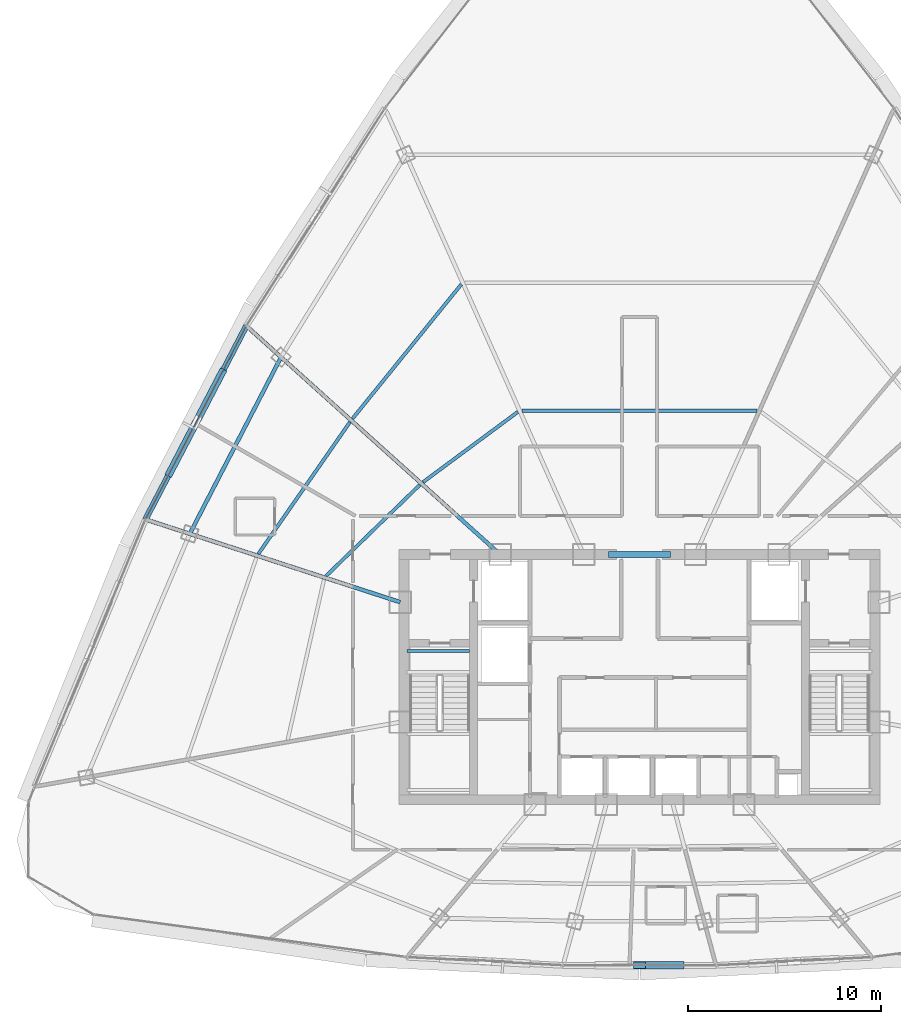
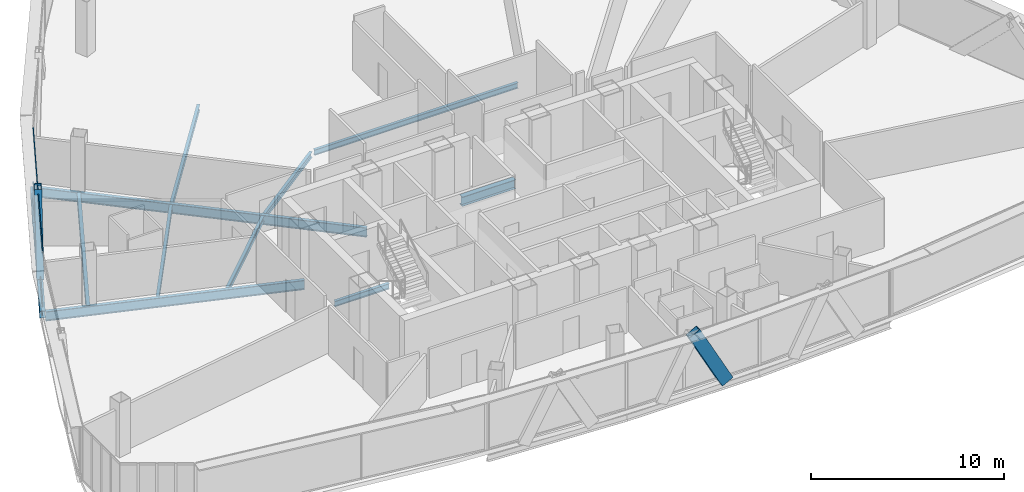
# One storey, part 9 of 40: 11 beams, 5 members, 1 element without a shape of its own.
"""IFC4 building model written with IfcOpenShell, lengths in metres."""

from ifc_helpers import new_model, si_unit, direction, frame, origin, origin_2d, place, context, subcontext, project, spatial, hollow_rectangle, i_section, extrude, source, transform, mapped, material, layer, layer_set, material_profile, profile_set, type_object, element, aggregate, save


model = new_model("IFC4")

# Units and contexts
model_context = context("Model", 3, precision=1e-05, world=origin(), true_north=direction((0.0, 1.0)))
body_context = subcontext(model_context, "Body", "Model", "MODEL_VIEW")
ifc_project = project(units=[si_unit("LENGTHUNIT", "METRE"), si_unit("AREAUNIT", "SQUARE_METRE"), si_unit("VOLUMEUNIT", "CUBIC_METRE"), si_unit("PLANEANGLEUNIT", "RADIAN"), si_unit("MASSUNIT", "GRAM", prefix="KILO"), si_unit("THERMODYNAMICTEMPERATUREUNIT", "KELVIN"), si_unit("POWERUNIT", "WATT")], contexts=[model_context])

# Site, building, storey
site_placement = place(None, origin())
site = spatial("IfcSite", under=ifc_project, at=site_placement, CompositionType="ELEMENT")
building_placement = place(site_placement, origin())
building = spatial("IfcBuilding", under=site, at=building_placement, Name="Yunzhuo Pagoda Commons", CompositionType="ELEMENT")
storey_placement = place(building_placement, frame((0.0, 0.0, 292.47998046875)))
storey = spatial("IfcBuildingStorey", under=building, at=storey_placement, Name="L73", CompositionType="ELEMENT", Elevation=292.47998046875)

# Beams
ifc_material_1 = material(Name="Structural steel Q355B", Category="steel")
ifc_material_profile_1 = material_profile(ifc_material_1, i_section(OverallWidth=0.175048828125, OverallDepth=0.35009765625, WebThickness=0.007080078125, FlangeThickness=0.010986328125, at=origin_2d()), Name="Structural steel Q355B")
ifc_profile_set_1 = profile_set([ifc_material_profile_1], Name="Structural steel Q355B")
beam_type_1 = type_object("IfcBeamType", Name="B-JS2 Joist HN 350x175x7x11", PredefinedType="JOIST", material=ifc_profile_set_1)
shared_shape_1 = source(origin(), body_context, "Body", "SweptSolid", [
    extrude(i_section(OverallWidth=0.175048828125, OverallDepth=0.35009765625, WebThickness=0.007080078125, FlangeThickness=0.010986328125, at=origin_2d()), origin(), (0.0, 0.0, 1.0), 3.25),
])
beam_1_placement = place(storey_placement, frame((35.949951171875, 35.199951171875, -0.374755859375), z_axis=(1.0, 0.0, 0.0), x_axis=(0.0, 1.0, 0.0)))
element("IfcBeam", 1, at=beam_1_placement, inside=storey, type_object=beam_type_1, Name="L73 ST1 landing support beam 177B", PredefinedType="JOIST", context=body_context, shape_type="MappedRepresentation", body=[
    mapped(shared_shape_1, transform((0.0, 0.0, 0.0), scale=1.0)),
])
ifc_material_2 = material(Name="Structural steel Q420B", Category="steel")
ifc_material_profile_2 = material_profile(ifc_material_2, i_section(OverallWidth=0.300048828125, OverallDepth=0.587890625, WebThickness=0.011962890625, FlangeThickness=0.02001953125, at=origin_2d()), Name="Structural steel Q420B")
ifc_profile_set_2 = profile_set([ifc_material_profile_2], Name="Structural steel Q420B")
beam_type_2 = type_object("IfcBeamType", Name="B-CPL Beam HM 588x300x12x20", PredefinedType="BEAM", material=ifc_profile_set_2)
shared_shape_2 = source(origin(), body_context, "Body", "SweptSolid", [
    extrude(i_section(OverallWidth=0.300048828125, OverallDepth=0.587890625, WebThickness=0.011962890625, FlangeThickness=0.02001953125, at=origin_2d()), origin(), (0.0, 0.0, 1.0), 3.2001953125),
])
beam_2_placement = place(storey_placement, frame((46.39990234375, 40.199951171875, -0.553955078125), z_axis=(1.0, 0.0, 0.0), x_axis=(0.0, 1.0, 0.0)))
element("IfcBeam", 2, at=beam_2_placement, inside=storey, type_object=beam_type_2, Name="L73 core coupling girder", PredefinedType="BEAM", context=body_context, shape_type="MappedRepresentation", body=[
    mapped(shared_shape_2, transform((0.0, 0.0, 0.0), scale=1.0)),
])
ifc_material_profile_3 = material_profile(ifc_material_1, i_section(OverallWidth=0.199951171875, OverallDepth=0.60009765625, WebThickness=0.010986328125, FlangeThickness=0.01708984375, at=origin_2d()), Name="Structural steel Q355B")
ifc_profile_set_3 = profile_set([ifc_material_profile_3], Name="Structural steel Q355B")
beam_type_3 = type_object("IfcBeamType", Name="B-RG3 Beam HN 600x200x11x17", PredefinedType="BEAM", material=ifc_profile_set_3)
shared_shape_3 = source(origin(), body_context, "Body", "SweptSolid", [
    extrude(i_section(OverallWidth=0.199951171875, OverallDepth=0.60009765625, WebThickness=0.010986328125, FlangeThickness=0.01708984375, at=origin_2d()), origin(), (0.0, 0.0, 1.0), 10.3017578125),
])
beam_3_placement = place(storey_placement, frame((29.4267578125, 50.423583984375, -0.56005859375), z_axis=(-0.459070867827, -0.888399650108, 0.0), x_axis=(0.888399650108, -0.459070867827, 0.0)))
element("IfcBeam", 3, at=beam_3_placement, inside=storey, type_object=beam_type_3, Name="L73 column-ring beam 10", PredefinedType="BEAM", context=body_context, shape_type="MappedRepresentation", body=[
    mapped(shared_shape_3, transform((0.0, 0.0, 0.0), scale=1.0)),
])
shared_shape_4 = source(origin(), body_context, "Body", "SweptSolid", [
    extrude(i_section(OverallWidth=0.175048828125, OverallDepth=0.35009765625, WebThickness=0.007080078125, FlangeThickness=0.010986328125, at=origin_2d()), origin(), (0.0, 0.0, 1.0), 6.767333984375),
])
beam_4_placement = place(storey_placement, frame((36.611083984375, 43.80029296875, -0.43505859375), z_axis=(-0.717207253673, -0.696859925149, 0.0), x_axis=(0.696859925149, -0.717207253673, 0.0)))
element("IfcBeam", 4, at=beam_4_placement, inside=storey, type_object=beam_type_1, Name="L73 composite ring joist 1.10", PredefinedType="JOIST", context=body_context, shape_type="MappedRepresentation", body=[
    mapped(shared_shape_4, transform((0.0, 0.0, 0.0), scale=1.0)),
])
shared_shape_5 = source(origin(), body_context, "Body", "SweptSolid", [
    extrude(i_section(OverallWidth=0.175048828125, OverallDepth=0.35009765625, WebThickness=0.007080078125, FlangeThickness=0.010986328125, at=origin_2d()), origin(), (0.0, 0.0, 1.0), 8.31103515625),
])
beam_5_placement = place(storey_placement, frame((32.994384765625, 47.0576171875, -0.43505859375), z_axis=(-0.570615989364, -0.821217019236, 0.0), x_axis=(0.821217019236, -0.570615989364, 0.0)))
element("IfcBeam", 5, at=beam_5_placement, inside=storey, type_object=beam_type_1, Name="L73 composite ring joist 2.10", PredefinedType="JOIST", context=body_context, shape_type="MappedRepresentation", body=[
    mapped(shared_shape_5, transform((0.0, 0.0, 0.0), scale=1.0)),
])
shared_shape_6 = source(origin(), body_context, "Body", "SweptSolid", [
    extrude(i_section(OverallWidth=0.175048828125, OverallDepth=0.35009765625, WebThickness=0.007080078125, FlangeThickness=0.010986328125, at=origin_2d()), origin(), (0.0, 0.0, 1.0), 6.109619140625),
])
beam_6_placement = place(storey_placement, frame((41.6943359375, 47.5869140625, -0.43505859375), z_axis=(-0.803396474468, -0.595444459888, 0.0), x_axis=(0.595444459888, -0.803396474468, 0.0)))
element("IfcBeam", 6, at=beam_6_placement, inside=storey, type_object=beam_type_1, Name="L73 composite ring joist 1.9", PredefinedType="JOIST", context=body_context, shape_type="MappedRepresentation", body=[
    mapped(shared_shape_6, transform((0.0, 0.0, 0.0), scale=1.0)),
])
shared_shape_7 = source(origin(), body_context, "Body", "SweptSolid", [
    extrude(i_section(OverallWidth=0.175048828125, OverallDepth=0.35009765625, WebThickness=0.007080078125, FlangeThickness=0.010986328125, at=origin_2d()), origin(), (0.0, 0.0, 1.0), 8.9462890625),
])
beam_7_placement = place(storey_placement, frame((38.763916015625, 54.19287109375, -0.43505859375), z_axis=(-0.629455685791, -0.777036382434, 0.0), x_axis=(0.777036382434, -0.629455685791, 0.0)))
element("IfcBeam", 7, at=beam_7_placement, inside=storey, type_object=beam_type_1, Name="L73 composite ring joist 2.9", PredefinedType="JOIST", context=body_context, shape_type="MappedRepresentation", body=[
    mapped(shared_shape_7, transform((0.0, 0.0, 0.0), scale=1.0)),
])
shared_shape_8 = source(origin(), body_context, "Body", "SweptSolid", [
    extrude(i_section(OverallWidth=0.175048828125, OverallDepth=0.35009765625, WebThickness=0.007080078125, FlangeThickness=0.010986328125, at=origin_2d()), origin(), (0.0, 0.0, 1.0), 12.19677734375),
])
beam_8_placement = place(storey_placement, frame((54.098388671875, 47.6552734375, -0.43505859375), z_axis=(-1.0, 0.0, 0.0), x_axis=(0.0, -1.0, 0.0)))
element("IfcBeam", 8, at=beam_8_placement, inside=storey, type_object=beam_type_1, Name="L73 composite ring joist 1.8", PredefinedType="JOIST", context=body_context, shape_type="MappedRepresentation", body=[
    mapped(shared_shape_8, transform((0.0, 0.0, 0.0), scale=1.0)),
])
shared_shape_9 = source(origin(), body_context, "Body", "SweptSolid", [
    extrude(i_section(OverallWidth=0.199951171875, OverallDepth=0.60009765625, WebThickness=0.010986328125, FlangeThickness=0.01708984375, at=origin_2d()), origin(), (0.0, 0.0, 1.0), 13.723388671875),
])
beam_9_placement = place(storey_placement, frame((22.54833984375, 41.9697265625, -0.56005859375), z_axis=(0.951057598357, -0.309013664112, 0.0), x_axis=(0.309013664112, 0.951057598357, 0.0)))
element("IfcBeam", 9, at=beam_9_placement, inside=storey, type_object=beam_type_3, Name="L73 radial floor girder F3C3", PredefinedType="BEAM", context=body_context, shape_type="MappedRepresentation", body=[
    mapped(shared_shape_9, transform((0.0, 0.0, 0.0), scale=1.0)),
])
shared_shape_10 = source(origin(), body_context, "Body", "SweptSolid", [
    extrude(i_section(OverallWidth=0.199951171875, OverallDepth=0.60009765625, WebThickness=0.010986328125, FlangeThickness=0.01708984375, at=origin_2d()), origin(), (0.0, 0.0, 1.0), 17.54541015625),
])
beam_10_placement = place(storey_placement, frame((27.742431640625, 51.9404296875, -0.56005859375), z_axis=(0.74313083727, -0.66914614151, 0.0), x_axis=(0.66914614151, 0.74313083727, 0.0)))
element("IfcBeam", 10, at=beam_10_placement, inside=storey, type_object=beam_type_3, Name="L73 radial floor girder F3C2", PredefinedType="BEAM", context=body_context, shape_type="MappedRepresentation", body=[
    mapped(shared_shape_10, transform((0.0, 0.0, 0.0), scale=1.0)),
])
ifc_material_profile_4 = material_profile(ifc_material_1, i_section(OverallWidth=0.300048828125, OverallDepth=0.43994140625, WebThickness=0.010986328125, FlangeThickness=0.01806640625, at=origin_2d()), Name="Structural steel Q355B")
ifc_profile_set_4 = profile_set([ifc_material_profile_4], Name="Structural steel Q355B")
beam_type_4 = type_object("IfcBeamType", Name="B-SP2 Beam HM 440x300x11x18", PredefinedType="BEAM", material=ifc_profile_set_4)
shared_shape_11 = source(origin(), body_context, "Body", "SweptSolid", [
    extrude(i_section(OverallWidth=0.300048828125, OverallDepth=0.43994140625, WebThickness=0.010986328125, FlangeThickness=0.01806640625, at=origin_2d()), origin(), (0.0, 0.0, 1.0), 11.306640625),
])
beam_11_placement = place(storey_placement, frame((27.627197265625, 52.043701171875, -0.47998046875), z_axis=(-0.462239065904, -0.886755347293, 0.0), x_axis=(0.886755347293, -0.462239065904, 0.0)))
element("IfcBeam", 11, at=beam_11_placement, inside=storey, type_object=beam_type_4, Name="L73 facade edge spandrel beam F3.2", PredefinedType="BEAM", context=body_context, shape_type="MappedRepresentation", body=[
    mapped(shared_shape_11, transform((0.0, 0.0, 0.0), scale=1.0)),
])

# Members
ifc_material_profile_5 = material_profile(ifc_material_1, hollow_rectangle(XDim=0.3798828125, YDim=0.719970703125, WallThickness=0.02001953125, at=origin_2d()), Name="Structural steel Q355B")
ifc_profile_set_5 = profile_set([ifc_material_profile_5], Name="Structural steel Q355B")
member_type_1 = type_object("IfcMemberType", Name="M-DL3 Brace BOX 720x380x20", PredefinedType="BRACE", material=ifc_profile_set_5)
shared_shape_12 = source(origin(), body_context, "Body", "SweptSolid", [
    extrude(hollow_rectangle(XDim=0.3798828125, YDim=0.719970703125, WallThickness=0.02001953125, at=origin_2d()), origin(), (0.0, 0.0, 1.0), 4.2236328125),
])
member_1_placement = place(storey_placement, frame((49.9814453125, 18.910888671875, -0.260009765625), z_axis=(-0.469135503, 0.0, 0.883126196998), x_axis=(0.0, -1.0, 0.0)))
element("IfcMember", 12, at=member_1_placement, inside=storey, type_object=member_type_1, Name="L73 facade diamond brace F1.2R", PredefinedType="BRACE", context=body_context, shape_type="MappedRepresentation", body=[
    mapped(shared_shape_12, transform((0.0, 0.0, 0.0), scale=1.0)),
])
shared_shape_13 = source(origin(), body_context, "Body", "SweptSolid", [
    extrude(hollow_rectangle(XDim=0.3798828125, YDim=0.719970703125, WallThickness=0.02001953125, at=origin_2d()), origin(), (0.0, 0.0, 1.0), 4.679931640625),
])
member_2_placement = place(storey_placement, frame((23.707763671875, 44.524169921875, -0.260009765625), z_axis=(0.279144366279, 0.535596189232, 0.797003854981), x_axis=(-0.886786511583, 0.462179275687, 0.0)))
element("IfcMember", 13, at=member_2_placement, inside=storey, type_object=member_type_1, Name="L73 facade diamond brace F3.2R", PredefinedType="BRACE", context=body_context, shape_type="MappedRepresentation", body=[
    mapped(shared_shape_13, transform((0.0, 0.0, 0.0), scale=1.0)),
])
shared_shape_14 = source(origin(), body_context, "Body", "SweptSolid", [
    extrude(hollow_rectangle(XDim=0.3798828125, YDim=0.719970703125, WallThickness=0.02001953125, at=origin_2d()), origin(), (0.0, 0.0, 1.0), 4.68017578125),
])
member_3_placement = place(storey_placement, frame((26.32080078125, 49.53759765625, -0.260009765625), z_axis=(-0.279184666524, -0.535625589662, 0.796969980411), x_axis=(0.886769562818, -0.462211793943, 0.0)))
element("IfcMember", 14, at=member_3_placement, inside=storey, type_object=member_type_1, Name="L73 facade diamond brace F3.2L", PredefinedType="BRACE", context=body_context, shape_type="MappedRepresentation", body=[
    mapped(shared_shape_14, transform((0.0, 0.0, 0.0), scale=1.0)),
])

# Curtain wall, members
ifc_material_3 = material(Name="Anodized aluminium 6063-T6", Category="aluminium")
ifc_layer = layer(ifc_material_3, 0.139892578125)
ifc_layer_set = layer_set([ifc_layer], Name="Anodized aluminium 6063-T6")
curtain_wall_type = type_object("IfcCurtainWallType", Name="CW-HI High-Zone Ribbon Curtain Wall", PredefinedType="NOTDEFINED", material=ifc_layer_set)
curtain_wall_placement = place(storey_placement, origin())
curtain_wall = element("IfcCurtainWall", 15, at=curtain_wall_placement, inside=storey, type_object=curtain_wall_type, Name="L73 curtain wall CW-L73-F3B3", PredefinedType="NOTDEFINED")
ifc_material_profile_6 = material_profile(ifc_material_3, hollow_rectangle(XDim=0.054931640625, YDim=0.1201171875, WallThickness=0.00341796875, at=origin_2d()), Name="Anodized aluminium 6063-T6")
ifc_profile_set_6 = profile_set([ifc_material_profile_6], Name="Anodized aluminium 6063-T6")
member_type_2 = type_object("IfcMemberType", Name="CW-HI-T Transom RHS 120x55x3.5", PredefinedType="USERDEFINED", material=ifc_profile_set_6)
shared_shape_15 = source(origin(), body_context, "Body", "SweptSolid", [
    extrude(hollow_rectangle(XDim=0.054931640625, YDim=0.1201171875, WallThickness=0.00341796875, at=origin_2d()), origin(), (0.0, 0.0, 1.0), 11.1865234375),
])
member_4_placement = place(storey_placement, frame((27.599365234375, 51.99072265625, 0.027587890625), z_axis=(-0.462217657155, -0.886766506705, 0.0), x_axis=(0.886766506705, -0.462217657155, 0.0)))
member_4 = element("IfcMember", 16, at=member_4_placement, type_object=member_type_2, Name="CW transom 1.1", ObjectType="TRANSOM", PredefinedType="USERDEFINED", context=body_context, shape_type="MappedRepresentation", body=[
    mapped(shared_shape_15, transform((0.0, 0.0, 0.0), scale=1.0)),
])
member_5_placement = place(storey_placement, frame((27.599365234375, 51.99072265625, 3.442626953125), z_axis=(-0.462217657155, -0.886766506705, 0.0), x_axis=(0.886766506705, -0.462217657155, 0.0)))
member_5 = element("IfcMember", 17, at=member_5_placement, type_object=member_type_2, Name="CW transom 1.2", ObjectType="TRANSOM", PredefinedType="USERDEFINED", context=body_context, shape_type="MappedRepresentation", body=[
    mapped(shared_shape_15, transform((0.0, 0.0, 0.0), scale=1.0)),
])
aggregate(curtain_wall, [member_4, member_5])

save(model, "model.ifc")
